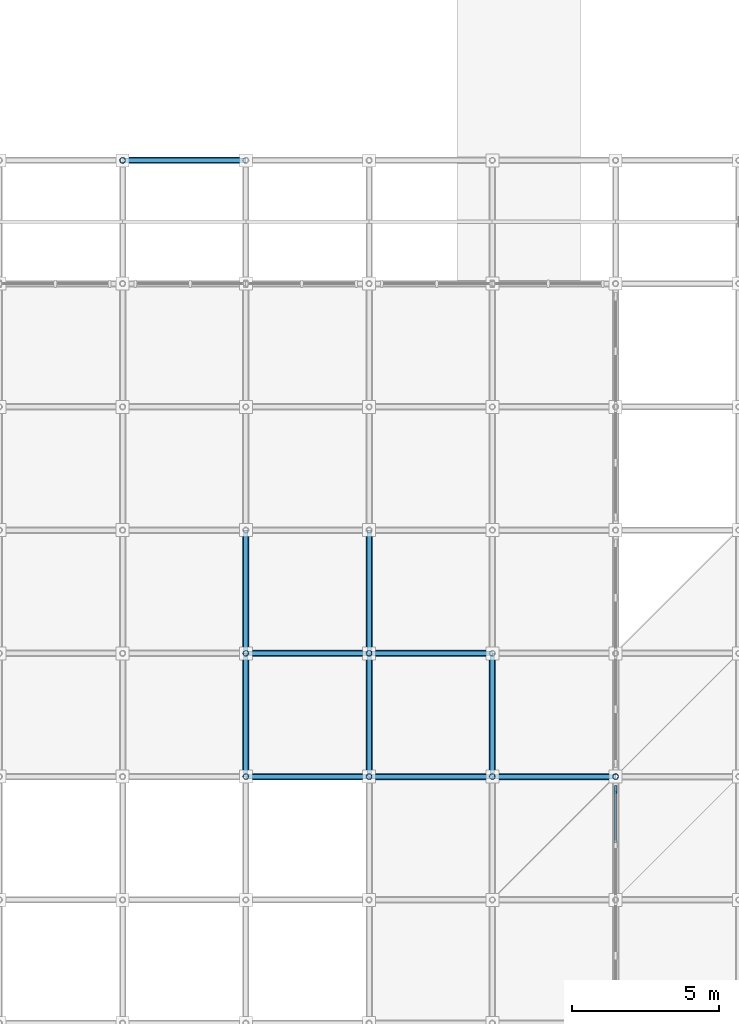
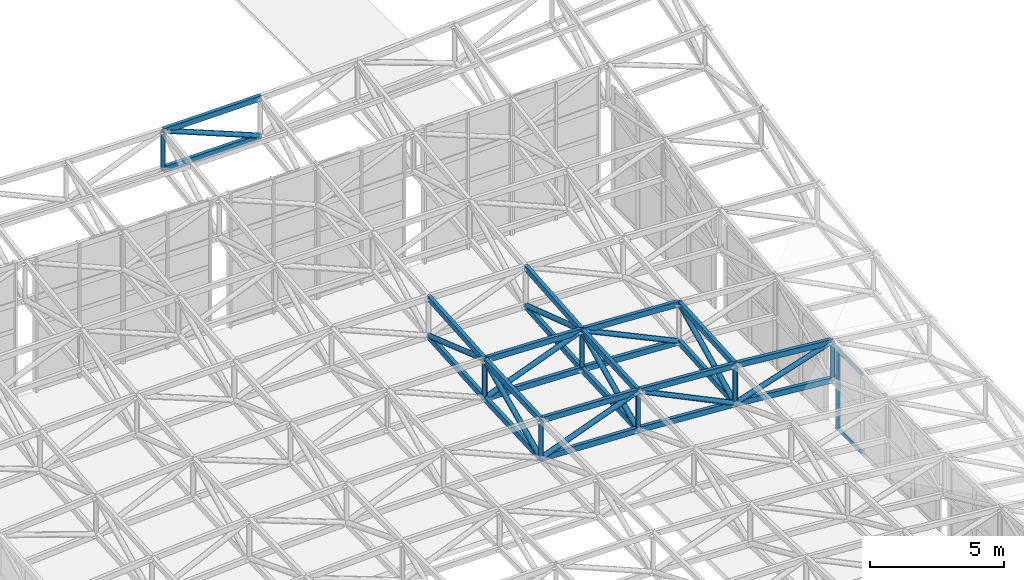
# One storey, part 33 of 132: 43 members, 1 element without a shape of its own.
"""IFC4 building model written with IfcOpenShell, lengths in metres."""

from ifc_helpers import new_model, si_unit, direction, frame, origin, origin_2d, place, context, subcontext, project, spatial, rectangle, hollow_rectangle, hollow_circle, extrude, material, material_profile, profile_set, type_object, element, aggregate, save


model = new_model("IFC4")

# Units and contexts
model_context = context("Model", 3, precision=1e-05, world=origin(), true_north=direction((0.0, 1.0)))
body_context = subcontext(model_context, "Body", "Model", "MODEL_VIEW")
ifc_project = project(units=[si_unit("LENGTHUNIT", "METRE"), si_unit("AREAUNIT", "SQUARE_METRE"), si_unit("VOLUMEUNIT", "CUBIC_METRE"), si_unit("PLANEANGLEUNIT", "RADIAN"), si_unit("MASSUNIT", "GRAM", prefix="KILO")], contexts=[model_context])

# Site, building, storey
site_placement = place(None, origin())
site = spatial("IfcSite", under=ifc_project, at=site_placement, CompositionType="ELEMENT")
building_placement = place(site_placement, origin())
building = spatial("IfcBuilding", under=site, at=building_placement, Name="Cumbredor Promenade Congress Hotel", CompositionType="ELEMENT")
storey_placement = place(building_placement, frame((0.0, 0.0, 7.56005859375)))
storey = spatial("IfcBuildingStorey", under=building, at=storey_placement, Name="L02", CompositionType="ELEMENT", Elevation=7.56005859375)

# Curtain wall, members
ifc_material_1 = material(Name="Thermally broken anodized aluminium and low-E glass", Category="aluminium")
curtain_wall_type = type_object("IfcCurtainWallType", Name="Stepped Pavilion Clerestory Curtain Wall CW-06", PredefinedType="NOTDEFINED", material=ifc_material_1)
curtain_wall_placement = place(storey_placement, origin())
curtain_wall = element("IfcCurtainWall", 1, at=curtain_wall_placement, inside=storey, type_object=curtain_wall_type, Name="Thermal Spa and Hydrotherapy Pavilion E Glazed Clerestory 6", PredefinedType="NOTDEFINED")
ifc_material_2 = material(Name="Thermally broken anodized aluminium", Category="aluminium")
ifc_material_profile_1 = material_profile(ifc_material_2, rectangle(XDim=0.0849609375, YDim=0.260009765625, at=origin_2d()), Name="ALU MULLION CLERESTORY 85x260")
ifc_profile_set_1 = profile_set([ifc_material_profile_1], Name="Thermally broken anodized aluminium")
member_type_1 = type_object("IfcMemberType", Name="Curtain Wall Mullion ML-04", PredefinedType="MULLION", material=ifc_profile_set_1)
member_1_placement = place(storey_placement, frame((109.199951171875, 33.159912109375, -0.01806640625), z_axis=(0.0, 0.0, 1.0), x_axis=(1.0, 0.0, 0.0)))
member_1 = element("IfcMember", 2, at=member_1_placement, type_object=member_type_1, Name="Thermal Spa and Hydrotherapy Pavilion E Glazed Clerestory 6 Mullion 3", PredefinedType="MULLION", context=body_context, shape_type="SweptSolid", body=[
    extrude(rectangle(XDim=0.0849609375, YDim=0.260009765625, at=origin_2d()), origin(), (0.0, 0.0, 1.0), 3.790771484375),
])
ifc_material_profile_2 = material_profile(ifc_material_2, rectangle(XDim=0.080078125, YDim=0.179931640625, at=origin_2d()), Name="ALU TRANSOM 80x180")
ifc_profile_set_2 = profile_set([ifc_material_profile_2], Name="Thermally broken anodized aluminium")
member_type_2 = type_object("IfcMemberType", Name="Curtain Wall Transom TR-03", PredefinedType="USERDEFINED", material=ifc_profile_set_2)
member_2_placement = place(storey_placement, frame((109.199951171875, 31.342529296875, 0.079833984375), z_axis=(0.0, 1.0, 0.0), x_axis=(-1.0, 0.0, 0.0)))
member_2 = element("IfcMember", 3, at=member_2_placement, type_object=member_type_2, Name="Thermal Spa and Hydrotherapy Pavilion E Glazed Clerestory 6 Transom 2.1", ObjectType="TRANSOM", PredefinedType="USERDEFINED", context=body_context, shape_type="SweptSolid", body=[
    extrude(rectangle(XDim=0.080078125, YDim=0.179931640625, at=origin_2d()), origin(), (0.0, 0.0, 1.0), 1.77490234375),
])
member_3_placement = place(storey_placement, frame((109.199951171875, 31.342529296875, 3.669921875), z_axis=(0.0, 1.0, 0.0), x_axis=(-1.0, 0.0, 0.0)))
member_3 = element("IfcMember", 4, at=member_3_placement, type_object=member_type_2, Name="Thermal Spa and Hydrotherapy Pavilion E Glazed Clerestory 6 Transom 2.2", ObjectType="TRANSOM", PredefinedType="USERDEFINED", context=body_context, shape_type="SweptSolid", body=[
    extrude(rectangle(XDim=0.080078125, YDim=0.179931640625, at=origin_2d()), origin(), (0.0, 0.0, 1.0), 1.77490234375),
])
aggregate(curtain_wall, [member_1, member_2, member_3])

# Members
ifc_material_3 = material(Name="Steel ASTM A500 Grade C", Category="steel")
ifc_material_profile_3 = material_profile(ifc_material_3, hollow_rectangle(XDim=0.14990234375, YDim=0.25, WallThickness=0.012451171875, at=origin_2d()), Name="HSS 250x150x12.5")
ifc_profile_set_3 = profile_set([ifc_material_profile_3], Name="Steel ASTM A500 Grade C")
member_type_3 = type_object("IfcMemberType", Name="Spa Roof Space Frame Chord", PredefinedType="CHORD", material=ifc_profile_set_3)
for number, where, z_axis, x_axis, name in (
    (5, (96.60009765625, 33.60009765625, 4.613525390625), (0.99924695008, 0.0, -0.038801195295), (0.0, 1.0, 0.0), "Thermal Spa and Hydrotherapy Pavilion X Top Chord 7.9"),
    (6, (96.60009765625, 33.60009765625, 2.863525390625), (0.99924695008, 0.0, -0.038801195295), (0.0, 1.0, 0.0), "Thermal Spa and Hydrotherapy Pavilion X Bottom Chord 7.9"),
):
    element("IfcMember", number, at=place(storey_placement, frame(where, z_axis=z_axis, x_axis=x_axis)), inside=storey, type_object=member_type_3, Name=name, PredefinedType="CHORD", context=body_context, shape_type="SweptSolid", body=[
        extrude(hollow_rectangle(XDim=0.14990234375, YDim=0.25, WallThickness=0.012451171875, at=origin_2d()), origin(), (0.0, 0.0, 1.0), 4.203125),
    ])
for number, where, z_axis, x_axis, name in (
    (7, (100.800048828125, 33.60009765625, 4.450439453125), (0.997906149499, 0.0, -0.064678565174), (0.0, 1.0, 0.0), "Thermal Spa and Hydrotherapy Pavilion X Top Chord 8.9"),
    (8, (100.800048828125, 33.60009765625, 2.700439453125), (0.997906149499, 0.0, -0.064678565174), (0.0, 1.0, 0.0), "Thermal Spa and Hydrotherapy Pavilion X Bottom Chord 8.9"),
):
    element("IfcMember", number, at=place(storey_placement, frame(where, z_axis=z_axis, x_axis=x_axis)), inside=storey, type_object=member_type_3, Name=name, PredefinedType="CHORD", context=body_context, shape_type="SweptSolid", body=[
        extrude(hollow_rectangle(XDim=0.14990234375, YDim=0.25, WallThickness=0.012451171875, at=origin_2d()), origin(), (0.0, 0.0, 1.0), 4.208740234375),
    ])
for number, where, z_axis, x_axis, name in (
    (9, (105.0, 33.60009765625, 4.17822265625), (0.995913585681, 0.0, -0.090311294173), (0.0, 1.0, 0.0), "Thermal Spa and Hydrotherapy Pavilion X Top Chord 9.9"),
    (10, (105.0, 33.60009765625, 2.42822265625), (0.995913585681, 0.0, -0.090311294173), (0.0, 1.0, 0.0), "Thermal Spa and Hydrotherapy Pavilion X Bottom Chord 9.9"),
):
    element("IfcMember", number, at=place(storey_placement, frame(where, z_axis=z_axis, x_axis=x_axis)), inside=storey, type_object=member_type_3, Name=name, PredefinedType="CHORD", context=body_context, shape_type="SweptSolid", body=[
        extrude(hollow_rectangle(XDim=0.14990234375, YDim=0.25, WallThickness=0.012451171875, at=origin_2d()), origin(), (0.0, 0.0, 1.0), 4.21728515625),
    ])
for number, where, z_axis, x_axis, name in (
    (11, (96.60009765625, 37.800048828125, 4.812744140625), (0.999502220604, 0.0, -0.031548550008), (0.0, 1.0, 0.0), "Thermal Spa and Hydrotherapy Pavilion X Top Chord 7.10"),
    (12, (96.60009765625, 37.800048828125, 3.062744140625), (0.999502220604, 0.0, -0.031548550008), (0.0, 1.0, 0.0), "Thermal Spa and Hydrotherapy Pavilion X Bottom Chord 7.10"),
):
    element("IfcMember", number, at=place(storey_placement, frame(where, z_axis=z_axis, x_axis=x_axis)), inside=storey, type_object=member_type_3, Name=name, PredefinedType="CHORD", context=body_context, shape_type="SweptSolid", body=[
        extrude(hollow_rectangle(XDim=0.14990234375, YDim=0.25, WallThickness=0.012451171875, at=origin_2d()), origin(), (0.0, 0.0, 1.0), 4.2021484375),
    ])
for number, where, z_axis, x_axis, name in (
    (13, (100.800048828125, 37.800048828125, 4.68017578125), (0.998616064852, 0.0, -0.052592347541), (0.0, 1.0, 0.0), "Thermal Spa and Hydrotherapy Pavilion X Top Chord 8.10"),
    (14, (100.800048828125, 37.800048828125, 2.93017578125), (0.998616064852, 0.0, -0.052592347541), (0.0, 1.0, 0.0), "Thermal Spa and Hydrotherapy Pavilion X Bottom Chord 8.10"),
):
    element("IfcMember", number, at=place(storey_placement, frame(where, z_axis=z_axis, x_axis=x_axis)), inside=storey, type_object=member_type_3, Name=name, PredefinedType="CHORD", context=body_context, shape_type="SweptSolid", body=[
        extrude(hollow_rectangle(XDim=0.14990234375, YDim=0.25, WallThickness=0.012451171875, at=origin_2d()), origin(), (0.0, 0.0, 1.0), 4.205810546875),
    ])
for number, where, z_axis, x_axis, name in (
    (15, (92.39990234375, 54.60009765625, 6.559814453125), (0.999935769912, 0.0, 0.011333845334), (0.0, 1.0, 0.0), "Thermal Spa and Hydrotherapy Pavilion X Top Chord 6.14"),
    (16, (92.39990234375, 54.60009765625, 4.809814453125), (0.999935769912, 0.0, 0.011333845334), (0.0, 1.0, 0.0), "Thermal Spa and Hydrotherapy Pavilion X Bottom Chord 6.14"),
):
    element("IfcMember", number, at=place(storey_placement, frame(where, z_axis=z_axis, x_axis=x_axis)), inside=storey, type_object=member_type_3, Name=name, PredefinedType="CHORD", context=body_context, shape_type="SweptSolid", body=[
        extrude(hollow_rectangle(XDim=0.14990234375, YDim=0.25, WallThickness=0.012451171875, at=origin_2d()), origin(), (0.0, 0.0, 1.0), 4.200439453125),
    ])
for number, where, z_axis, x_axis, name in (
    (17, (96.60009765625, 33.60009765625, 4.613525390625), (0.0, 0.998876922197, 0.047380315556), (-1.0, 0.0, 0.0), "Thermal Spa and Hydrotherapy Pavilion Y Top Chord 7.9"),
    (18, (96.60009765625, 33.60009765625, 2.863525390625), (0.0, 0.998876922197, 0.047380315556), (-1.0, 0.0, 0.0), "Thermal Spa and Hydrotherapy Pavilion Y Bottom Chord 7.9"),
):
    element("IfcMember", number, at=place(storey_placement, frame(where, z_axis=z_axis, x_axis=x_axis)), inside=storey, type_object=member_type_3, Name=name, PredefinedType="CHORD", context=body_context, shape_type="SweptSolid", body=[
        extrude(hollow_rectangle(XDim=0.14990234375, YDim=0.25, WallThickness=0.012451171875, at=origin_2d()), origin(), (0.0, 0.0, 1.0), 4.20458984375),
    ])
for number, where, z_axis, x_axis, name in (
    (19, (96.60009765625, 37.800048828125, 4.812744140625), (0.0, 0.997478381667, 0.070970966643), (-1.0, 0.0, 0.0), "Thermal Spa and Hydrotherapy Pavilion Y Top Chord 7.10"),
    (20, (96.60009765625, 37.800048828125, 3.062744140625), (0.0, 0.997478381667, 0.070970966643), (-1.0, 0.0, 0.0), "Thermal Spa and Hydrotherapy Pavilion Y Bottom Chord 7.10"),
):
    element("IfcMember", number, at=place(storey_placement, frame(where, z_axis=z_axis, x_axis=x_axis)), inside=storey, type_object=member_type_3, Name=name, PredefinedType="CHORD", context=body_context, shape_type="SweptSolid", body=[
        extrude(hollow_rectangle(XDim=0.14990234375, YDim=0.25, WallThickness=0.012451171875, at=origin_2d()), origin(), (0.0, 0.0, 1.0), 4.21044921875),
    ])
for number, where, z_axis, x_axis, name in (
    (21, (100.800048828125, 33.60009765625, 4.450439453125), (0.0, 0.998507316855, 0.054618112257), (-1.0, 0.0, 0.0), "Thermal Spa and Hydrotherapy Pavilion Y Top Chord 8.9"),
    (22, (100.800048828125, 33.60009765625, 2.700439453125), (0.0, 0.998507316855, 0.054618112257), (-1.0, 0.0, 0.0), "Thermal Spa and Hydrotherapy Pavilion Y Bottom Chord 8.9"),
):
    element("IfcMember", number, at=place(storey_placement, frame(where, z_axis=z_axis, x_axis=x_axis)), inside=storey, type_object=member_type_3, Name=name, PredefinedType="CHORD", context=body_context, shape_type="SweptSolid", body=[
        extrude(hollow_rectangle(XDim=0.14990234375, YDim=0.25, WallThickness=0.012451171875, at=origin_2d()), origin(), (0.0, 0.0, 1.0), 4.206298828125),
    ])
for number, where, z_axis, x_axis, name in (
    (23, (100.800048828125, 37.800048828125, 4.68017578125), (0.0, 0.996653189411, 0.081746070468), (-1.0, 0.0, 0.0), "Thermal Spa and Hydrotherapy Pavilion Y Top Chord 8.10"),
    (24, (100.800048828125, 37.800048828125, 2.93017578125), (0.0, 0.996653189411, 0.081746070468), (-1.0, 0.0, 0.0), "Thermal Spa and Hydrotherapy Pavilion Y Bottom Chord 8.10"),
):
    element("IfcMember", number, at=place(storey_placement, frame(where, z_axis=z_axis, x_axis=x_axis)), inside=storey, type_object=member_type_3, Name=name, PredefinedType="CHORD", context=body_context, shape_type="SweptSolid", body=[
        extrude(hollow_rectangle(XDim=0.14990234375, YDim=0.25, WallThickness=0.012451171875, at=origin_2d()), origin(), (0.0, 0.0, 1.0), 4.214111328125),
    ])
for number, where, z_axis, x_axis, name in (
    (25, (105.0, 33.60009765625, 4.17822265625), (0.0, 0.997773079517, 0.066699938467), (-1.0, 0.0, 0.0), "Thermal Spa and Hydrotherapy Pavilion Y Top Chord 9.9"),
    (26, (105.0, 33.60009765625, 2.42822265625), (0.0, 0.997773079517, 0.066699938467), (-1.0, 0.0, 0.0), "Thermal Spa and Hydrotherapy Pavilion Y Bottom Chord 9.9"),
):
    element("IfcMember", number, at=place(storey_placement, frame(where, z_axis=z_axis, x_axis=x_axis)), inside=storey, type_object=member_type_3, Name=name, PredefinedType="CHORD", context=body_context, shape_type="SweptSolid", body=[
        extrude(hollow_rectangle(XDim=0.14990234375, YDim=0.25, WallThickness=0.012451171875, at=origin_2d()), origin(), (0.0, 0.0, 1.0), 4.209228515625),
    ])
ifc_material_profile_4 = material_profile(ifc_material_3, hollow_circle(Radius=0.109619140625, WallThickness=0.012451171875, at=origin_2d()), Name="CHS 219.1x12.5")
ifc_profile_set_4 = profile_set([ifc_material_profile_4], Name="Steel ASTM A500 Grade C")
member_type_4 = type_object("IfcMemberType", Name="Space Frame Web Diagonal D1", PredefinedType="BRACE", material=ifc_profile_set_4)
member_4_placement = place(storey_placement, frame((96.60009765625, 33.60009765625, 2.863525390625), z_axis=(0.935452517347, 0.0, 0.353452384047), x_axis=(0.0, 1.0, 0.0)))
element("IfcMember", 27, at=member_4_placement, inside=storey, type_object=member_type_4, Name="Thermal Spa and Hydrotherapy Pavilion X Web Diagonal 7.9", PredefinedType="BRACE", context=body_context, shape_type="SweptSolid", body=[
    extrude(hollow_circle(Radius=0.109619140625, WallThickness=0.012451171875, at=origin_2d()), origin(), (0.0, 0.0, 1.0), 4.48974609375),
])
member_5_placement = place(storey_placement, frame((100.800048828125, 33.60009765625, 4.450439453125), z_axis=(0.90100015334, 0.0, -0.433818768245), x_axis=(0.0, 1.0, 0.0)))
element("IfcMember", 28, at=member_5_placement, inside=storey, type_object=member_type_4, Name="Thermal Spa and Hydrotherapy Pavilion X Web Diagonal 8.9", PredefinedType="BRACE", context=body_context, shape_type="SweptSolid", body=[
    extrude(hollow_circle(Radius=0.109619140625, WallThickness=0.012451171875, at=origin_2d()), origin(), (0.0, 0.0, 1.0), 4.661376953125),
])
member_6_placement = place(storey_placement, frame((105.0, 33.60009765625, 2.42822265625), z_axis=(0.950757103344, 0.0, 0.309936978176), x_axis=(0.0, 1.0, 0.0)))
element("IfcMember", 29, at=member_6_placement, inside=storey, type_object=member_type_4, Name="Thermal Spa and Hydrotherapy Pavilion X Web Diagonal 9.9", PredefinedType="BRACE", context=body_context, shape_type="SweptSolid", body=[
    extrude(hollow_circle(Radius=0.109619140625, WallThickness=0.012451171875, at=origin_2d()), origin(), (0.0, 0.0, 1.0), 4.41748046875),
])
member_7_placement = place(storey_placement, frame((96.60009765625, 37.800048828125, 3.062744140625), z_axis=(0.93319173071, 0.0, 0.359378899957), x_axis=(0.0, 1.0, 0.0)))
element("IfcMember", 30, at=member_7_placement, inside=storey, type_object=member_type_4, Name="Thermal Spa and Hydrotherapy Pavilion X Web Diagonal 7.10", PredefinedType="BRACE", context=body_context, shape_type="SweptSolid", body=[
    extrude(hollow_circle(Radius=0.109619140625, WallThickness=0.012451171875, at=origin_2d()), origin(), (0.0, 0.0, 1.0), 4.500732421875),
])
member_8_placement = place(storey_placement, frame((100.800048828125, 37.800048828125, 4.68017578125), z_axis=(0.905254705421, 0.0, -0.424869295563), x_axis=(0.0, 1.0, 0.0)))
element("IfcMember", 31, at=member_8_placement, inside=storey, type_object=member_type_4, Name="Thermal Spa and Hydrotherapy Pavilion X Web Diagonal 8.10", PredefinedType="BRACE", context=body_context, shape_type="SweptSolid", body=[
    extrude(hollow_circle(Radius=0.109619140625, WallThickness=0.012451171875, at=origin_2d()), origin(), (0.0, 0.0, 1.0), 4.639404296875),
])
member_9_placement = place(storey_placement, frame((92.39990234375, 54.60009765625, 6.559814453125), z_axis=(0.926769173957, 0.0, -0.37563133283), x_axis=(0.0, 1.0, 0.0)))
element("IfcMember", 32, at=member_9_placement, inside=storey, type_object=member_type_4, Name="Thermal Spa and Hydrotherapy Pavilion X Web Diagonal 6.14", PredefinedType="BRACE", context=body_context, shape_type="SweptSolid", body=[
    extrude(hollow_circle(Radius=0.109619140625, WallThickness=0.012451171875, at=origin_2d()), origin(), (0.0, 0.0, 1.0), 4.531982421875),
])
member_10_placement = place(storey_placement, frame((96.60009765625, 33.60009765625, 2.863525390625), z_axis=(0.0, 0.907071533627, 0.42097652296), x_axis=(-1.0, 0.0, 0.0)))
element("IfcMember", 33, at=member_10_placement, inside=storey, type_object=member_type_4, Name="Thermal Spa and Hydrotherapy Pavilion Y Web Diagonal 7.9", PredefinedType="BRACE", context=body_context, shape_type="SweptSolid", body=[
    extrude(hollow_circle(Radius=0.109619140625, WallThickness=0.012451171875, at=origin_2d()), origin(), (0.0, 0.0, 1.0), 4.630126953125),
])
member_11_placement = place(storey_placement, frame((96.60009765625, 37.800048828125, 4.812744140625), z_axis=(0.0, 0.945170780931, -0.326576476304), x_axis=(-1.0, 0.0, 0.0)))
element("IfcMember", 34, at=member_11_placement, inside=storey, type_object=member_type_4, Name="Thermal Spa and Hydrotherapy Pavilion Y Web Diagonal 7.10", PredefinedType="BRACE", context=body_context, shape_type="SweptSolid", body=[
    extrude(hollow_circle(Radius=0.109619140625, WallThickness=0.012451171875, at=origin_2d()), origin(), (0.0, 0.0, 1.0), 4.443603515625),
])
member_12_placement = place(storey_placement, frame((100.800048828125, 33.60009765625, 2.700439453125), z_axis=(0.0, 0.904545633025, 0.42637682603), x_axis=(-1.0, 0.0, 0.0)))
element("IfcMember", 35, at=member_12_placement, inside=storey, type_object=member_type_4, Name="Thermal Spa and Hydrotherapy Pavilion Y Web Diagonal 8.9", PredefinedType="BRACE", context=body_context, shape_type="SweptSolid", body=[
    extrude(hollow_circle(Radius=0.109619140625, WallThickness=0.012451171875, at=origin_2d()), origin(), (0.0, 0.0, 1.0), 4.64306640625),
])
member_13_placement = place(storey_placement, frame((100.800048828125, 37.800048828125, 4.68017578125), z_axis=(0.0, 0.948307784552, -0.317352084849), x_axis=(-1.0, 0.0, 0.0)))
element("IfcMember", 36, at=member_13_placement, inside=storey, type_object=member_type_4, Name="Thermal Spa and Hydrotherapy Pavilion Y Web Diagonal 8.10", PredefinedType="BRACE", context=body_context, shape_type="SweptSolid", body=[
    extrude(hollow_circle(Radius=0.109619140625, WallThickness=0.012451171875, at=origin_2d()), origin(), (0.0, 0.0, 1.0), 4.428955078125),
])
member_14_placement = place(storey_placement, frame((105.0, 33.60009765625, 2.42822265625), z_axis=(0.0, 0.900282987248, 0.435305114685), x_axis=(-1.0, 0.0, 0.0)))
element("IfcMember", 37, at=member_14_placement, inside=storey, type_object=member_type_4, Name="Thermal Spa and Hydrotherapy Pavilion Y Web Diagonal 9.9", PredefinedType="BRACE", context=body_context, shape_type="SweptSolid", body=[
    extrude(hollow_circle(Radius=0.109619140625, WallThickness=0.012451171875, at=origin_2d()), origin(), (0.0, 0.0, 1.0), 4.6650390625),
])
ifc_material_profile_5 = material_profile(ifc_material_3, hollow_circle(Radius=0.096923828125, WallThickness=0.010009765625, at=origin_2d()), Name="CHS 193.7x10")
ifc_profile_set_5 = profile_set([ifc_material_profile_5], Name="Steel ASTM A500 Grade C")
member_type_5 = type_object("IfcMemberType", Name="Space Frame Web Post P1", PredefinedType="BRACE", material=ifc_profile_set_5)
for number, where, z_axis, x_axis, name in (
    (38, (92.39990234375, 54.60009765625, 4.809814453125), (0.0, 0.0, 1.0), (1.0, 0.0, 0.0), "Thermal Spa and Hydrotherapy Pavilion Space Frame Web Post 6.14"),
    (39, (96.60009765625, 33.60009765625, 2.863525390625), (0.0, 0.0, 1.0), (1.0, 0.0, 0.0), "Thermal Spa and Hydrotherapy Pavilion Space Frame Web Post 7.9"),
    (40, (96.60009765625, 37.800048828125, 3.062744140625), (0.0, 0.0, 1.0), (1.0, 0.0, 0.0), "Thermal Spa and Hydrotherapy Pavilion Space Frame Web Post 7.10"),
    (41, (100.800048828125, 33.60009765625, 2.700439453125), (0.0, 0.0, 1.0), (1.0, 0.0, 0.0), "Thermal Spa and Hydrotherapy Pavilion Space Frame Web Post 8.9"),
    (42, (100.800048828125, 37.800048828125, 2.93017578125), (0.0, 0.0, 1.0), (1.0, 0.0, 0.0), "Thermal Spa and Hydrotherapy Pavilion Space Frame Web Post 8.10"),
    (43, (105.0, 33.60009765625, 2.42822265625), (0.0, 0.0, 1.0), (1.0, 0.0, 0.0), "Thermal Spa and Hydrotherapy Pavilion Space Frame Web Post 9.9"),
    (44, (109.199951171875, 33.60009765625, 2.04736328125), (0.0, 0.0, 1.0), (1.0, 0.0, 0.0), "Thermal Spa and Hydrotherapy Pavilion Space Frame Web Post 10.9"),
):
    element("IfcMember", number, at=place(storey_placement, frame(where, z_axis=z_axis, x_axis=x_axis)), inside=storey, type_object=member_type_5, Name=name, PredefinedType="BRACE", context=body_context, shape_type="SweptSolid", body=[
        extrude(hollow_circle(Radius=0.096923828125, WallThickness=0.010009765625, at=origin_2d()), origin(), (0.0, 0.0, 1.0), 1.75),
    ])

save(model, "model.ifc")
